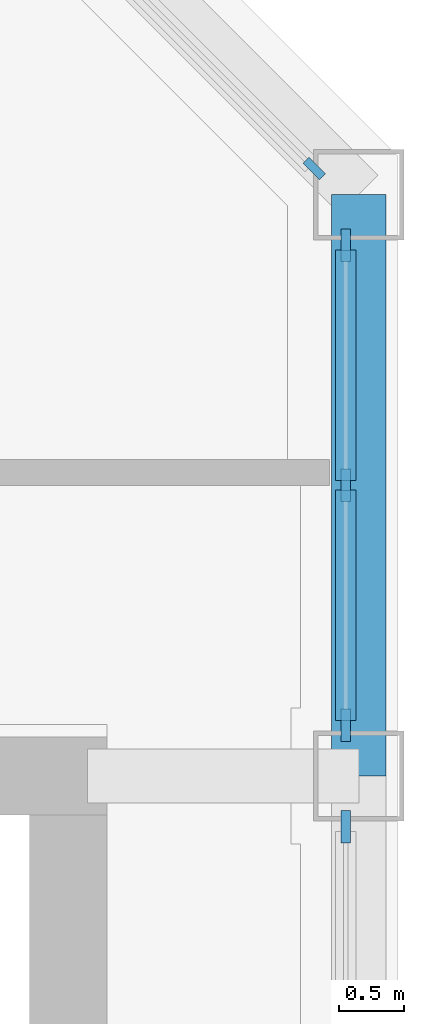
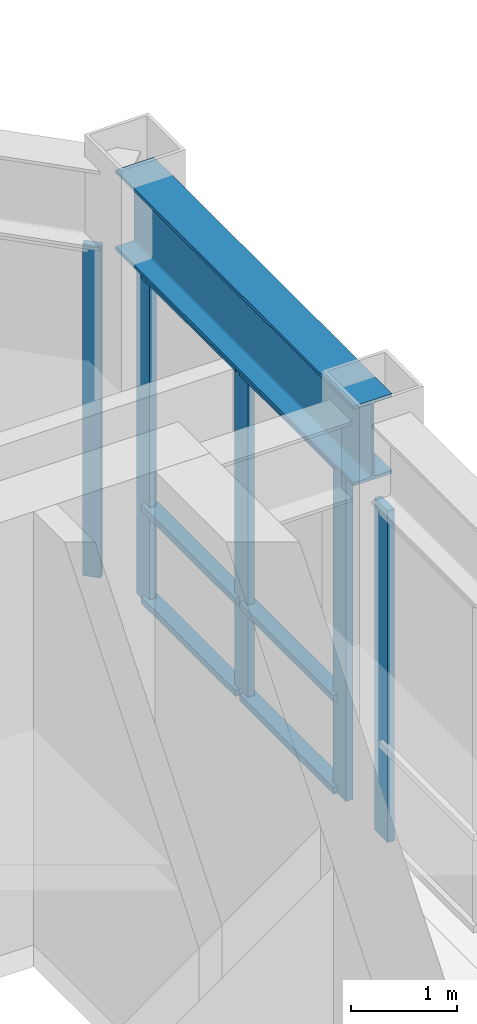
# One storey, part 6 of 15: 11 members, 1 beam, 3 elements without a shape of their own.
"""IFC4 building model written with IfcOpenShell, lengths in metres."""

from ifc_helpers import new_model, si_unit, direction, frame, origin, origin_2d, place, context, subcontext, project, spatial, rectangle, i_section, extrude, material, material_profile, profile_set, type_object, element, aggregate, save


model = new_model("IFC4")

# Units and contexts
model_context = context("Model", 3, precision=1e-05, world=origin(), true_north=direction((0.0, 1.0)))
body_context = subcontext(model_context, "Body", "Model", "MODEL_VIEW")
ifc_project = project(units=[si_unit("LENGTHUNIT", "METRE"), si_unit("AREAUNIT", "SQUARE_METRE"), si_unit("VOLUMEUNIT", "CUBIC_METRE"), si_unit("PLANEANGLEUNIT", "RADIAN"), si_unit("MASSUNIT", "GRAM", prefix="KILO")], contexts=[model_context])

# Site, building, storey
site_placement = place(None, origin())
site = spatial("IfcSite", under=ifc_project, at=site_placement, CompositionType="ELEMENT")
building_placement = place(site_placement, origin())
building = spatial("IfcBuilding", under=site, at=building_placement, Name="Msasa Ring Tower", CompositionType="ELEMENT")
storey_placement = place(building_placement, frame((0.0, 0.0, 257.050048828125)))
storey = spatial("IfcBuildingStorey", under=building, at=storey_placement, Name="L67", CompositionType="ELEMENT", Elevation=257.050048828125)

# Curtain wall, member
ifc_material_1 = material(Name="Aluminium curtain wall with clear glass", Category="aluminium")
curtain_wall_type_1 = type_object("IfcCurtainWallType", Name="CW-C CHAMFER CORNER CURTAIN WALL", PredefinedType="NOTDEFINED", material=ifc_material_1)
curtain_wall_1_placement = place(storey_placement, origin())
curtain_wall_1 = element("IfcCurtainWall", 1, at=curtain_wall_1_placement, inside=storey, type_object=curtain_wall_type_1, Name="Chamfer corner curtain wall NE L67", PredefinedType="NOTDEFINED")
ifc_material_2 = material(Name="Aluminium mullion", Category="aluminium")
ifc_material_profile_1 = material_profile(ifc_material_2, rectangle(XDim=0.06494140625, YDim=0.179931640625, at=origin_2d()), Name="AL 65x180")
ifc_profile_set_1 = profile_set([ifc_material_profile_1], Name="Aluminium mullion")
member_type_1 = type_object("IfcMemberType", Name="CW-C MULLION 65x180", PredefinedType="MULLION", material=ifc_profile_set_1)
member_1_placement = place(storey_placement, frame((19.9052734375, 11.453369140625, 0.0), z_axis=(0.0, 0.0, 1.0), x_axis=(-0.707106781187, -0.707106781187, 0.0)))
member_1 = element("IfcMember", 2, at=member_1_placement, type_object=member_type_1, Name="CW-C mullion 1", PredefinedType="MULLION", context=body_context, shape_type="SweptSolid", body=[
    extrude(rectangle(XDim=0.06494140625, YDim=0.179931640625, at=origin_2d()), origin(), (0.0, 0.0, 1.0), 3.828857421875),
])
aggregate(curtain_wall_1, [member_1])

ifc_material_3 = material(Name="Aluminium curtain wall with clear glass", Category="aluminium")
curtain_wall_type_2 = type_object("IfcCurtainWallType", Name="CW-S SKY LOBBY CURTAIN WALL", PredefinedType="NOTDEFINED", material=ifc_material_3)
curtain_wall_2_placement = place(storey_placement, origin())
curtain_wall_2 = element("IfcCurtainWall", 3, at=curtain_wall_2_placement, inside=storey, type_object=curtain_wall_type_2, Name="Sky lobby curtain wall E L67", PredefinedType="NOTDEFINED")
ifc_material_4 = material(Name="Aluminium mullion", Category="aluminium")
ifc_material_profile_2 = material_profile(ifc_material_4, rectangle(XDim=0.074951171875, YDim=0.25, at=origin_2d()), Name="AL 75x250")
ifc_profile_set_2 = profile_set([ifc_material_profile_2], Name="Aluminium mullion")
member_type_2 = type_object("IfcMemberType", Name="CW-S MULLION 75x250", PredefinedType="MULLION", material=ifc_profile_set_2)
member_2_placement = place(storey_placement, frame((20.14990234375, 6.357421875, 0.0), z_axis=(0.0, 0.0, 1.0), x_axis=(-1.0, 0.0, 0.0)))
member_2 = element("IfcMember", 4, at=member_2_placement, type_object=member_type_2, Name="CW-S mullion 3", PredefinedType="MULLION", context=body_context, shape_type="SweptSolid", body=[
    extrude(rectangle(XDim=0.074951171875, YDim=0.25, at=origin_2d()), origin(), (0.0, 0.0, 1.0), 3.828857421875),
])
aggregate(curtain_wall_2, [member_2])

# Curtain wall, members
curtain_wall_3_placement = place(storey_placement, origin())
curtain_wall_3 = element("IfcCurtainWall", 5, at=curtain_wall_3_placement, inside=storey, type_object=curtain_wall_type_2, Name="Sky lobby curtain wall E L67", PredefinedType="NOTDEFINED")
member_3_placement = place(storey_placement, frame((20.14990234375, 7.142578125, 0.0), z_axis=(0.0, 0.0, 1.0), x_axis=(-1.0, 0.0, 0.0)))
member_3 = element("IfcMember", 6, at=member_3_placement, type_object=member_type_2, Name="CW-S mullion 1", PredefinedType="MULLION", context=body_context, shape_type="SweptSolid", body=[
    extrude(rectangle(XDim=0.074951171875, YDim=0.25, at=origin_2d()), origin(), (0.0, 0.0, 1.0), 3.828857421875),
])
member_4_placement = place(storey_placement, frame((20.14990234375, 9.0, 0.0), z_axis=(0.0, 0.0, 1.0), x_axis=(-1.0, 0.0, 0.0)))
member_4 = element("IfcMember", 7, at=member_4_placement, type_object=member_type_2, Name="CW-S mullion 2", PredefinedType="MULLION", context=body_context, shape_type="SweptSolid", body=[
    extrude(rectangle(XDim=0.074951171875, YDim=0.25, at=origin_2d()), origin(), (0.0, 0.0, 1.0), 3.828857421875),
])
member_5_placement = place(storey_placement, frame((20.14990234375, 10.857421875, 0.0), z_axis=(0.0, 0.0, 1.0), x_axis=(-1.0, 0.0, 0.0)))
member_5 = element("IfcMember", 8, at=member_5_placement, type_object=member_type_2, Name="CW-S mullion 3", PredefinedType="MULLION", context=body_context, shape_type="SweptSolid", body=[
    extrude(rectangle(XDim=0.074951171875, YDim=0.25, at=origin_2d()), origin(), (0.0, 0.0, 1.0), 3.828857421875),
])
ifc_material_5 = material(Name="Aluminium transom", Category="aluminium")
ifc_material_profile_3 = material_profile(ifc_material_5, rectangle(XDim=0.159912109375, YDim=0.074951171875, at=origin_2d()), Name="AL 75x160")
ifc_profile_set_3 = profile_set([ifc_material_profile_3], Name="Aluminium transom")
member_type_3 = type_object("IfcMemberType", Name="CW-S TRANSOM 75x160", PredefinedType="USERDEFINED", material=ifc_profile_set_3)
member_6_placement = place(storey_placement, frame((20.14990234375, 7.179931640625, 0.037353515625), z_axis=(0.0, 1.0, 0.0), x_axis=(-1.0, 0.0, 0.0)))
member_6 = element("IfcMember", 9, at=member_6_placement, type_object=member_type_3, Name="CW-S transom 1.1", ObjectType="TRANSOM", PredefinedType="USERDEFINED", context=body_context, shape_type="SweptSolid", body=[
    extrude(rectangle(XDim=0.159912109375, YDim=0.074951171875, at=origin_2d()), origin(), (0.0, 0.0, 1.0), 1.782470703125),
])
member_7_placement = place(storey_placement, frame((20.14990234375, 7.179931640625, 1.099853515625), z_axis=(0.0, 1.0, 0.0), x_axis=(-1.0, 0.0, 0.0)))
member_7 = element("IfcMember", 10, at=member_7_placement, type_object=member_type_3, Name="CW-S transom 1.2", ObjectType="TRANSOM", PredefinedType="USERDEFINED", context=body_context, shape_type="SweptSolid", body=[
    extrude(rectangle(XDim=0.159912109375, YDim=0.074951171875, at=origin_2d()), origin(), (0.0, 0.0, 1.0), 1.782470703125),
])
member_8_placement = place(storey_placement, frame((20.14990234375, 7.179931640625, 3.79150390625), z_axis=(0.0, 1.0, 0.0), x_axis=(-1.0, 0.0, 0.0)))
member_8 = element("IfcMember", 11, at=member_8_placement, type_object=member_type_3, Name="CW-S transom 1.3", ObjectType="TRANSOM", PredefinedType="USERDEFINED", context=body_context, shape_type="SweptSolid", body=[
    extrude(rectangle(XDim=0.159912109375, YDim=0.074951171875, at=origin_2d()), origin(), (0.0, 0.0, 1.0), 1.782470703125),
])
member_9_placement = place(storey_placement, frame((20.14990234375, 9.03759765625, 0.037353515625), z_axis=(0.0, 1.0, 0.0), x_axis=(-1.0, 0.0, 0.0)))
member_9 = element("IfcMember", 12, at=member_9_placement, type_object=member_type_3, Name="CW-S transom 2.1", ObjectType="TRANSOM", PredefinedType="USERDEFINED", context=body_context, shape_type="SweptSolid", body=[
    extrude(rectangle(XDim=0.159912109375, YDim=0.074951171875, at=origin_2d()), origin(), (0.0, 0.0, 1.0), 1.782470703125),
])
member_10_placement = place(storey_placement, frame((20.14990234375, 9.03759765625, 1.099853515625), z_axis=(0.0, 1.0, 0.0), x_axis=(-1.0, 0.0, 0.0)))
member_10 = element("IfcMember", 13, at=member_10_placement, type_object=member_type_3, Name="CW-S transom 2.2", ObjectType="TRANSOM", PredefinedType="USERDEFINED", context=body_context, shape_type="SweptSolid", body=[
    extrude(rectangle(XDim=0.159912109375, YDim=0.074951171875, at=origin_2d()), origin(), (0.0, 0.0, 1.0), 1.782470703125),
])
member_11_placement = place(storey_placement, frame((20.14990234375, 9.03759765625, 3.79150390625), z_axis=(0.0, 1.0, 0.0), x_axis=(-1.0, 0.0, 0.0)))
member_11 = element("IfcMember", 14, at=member_11_placement, type_object=member_type_3, Name="CW-S transom 2.3", ObjectType="TRANSOM", PredefinedType="USERDEFINED", context=body_context, shape_type="SweptSolid", body=[
    extrude(rectangle(XDim=0.159912109375, YDim=0.074951171875, at=origin_2d()), origin(), (0.0, 0.0, 1.0), 1.782470703125),
])
aggregate(curtain_wall_3, [member_3, member_4, member_5, member_6, member_7, member_8, member_9, member_10, member_11])

# Beam
ifc_material_6 = material(Name="Steel S355", Category="steel")
ifc_material_profile_4 = material_profile(ifc_material_6, i_section(OverallWidth=0.42041015625, OverallDepth=0.9208984375, WebThickness=0.021484375, FlangeThickness=0.03662109375, FilletRadius=0.024169921875, at=origin_2d()), Name="UB 914x419x388")
ifc_profile_set_4 = profile_set([ifc_material_profile_4], Name="Steel S355")
beam_type = type_object("IfcBeamType", Name="SB1 UB 914x419x388", PredefinedType="SPANDREL", material=ifc_profile_set_4)
beam_placement = place(storey_placement, frame((20.25, 6.75, 4.28955078125), z_axis=(0.0, 1.0, 0.0), x_axis=(-1.0, 0.0, 0.0)))
element("IfcBeam", 15, at=beam_placement, inside=storey, type_object=beam_type, Name="Spandrel E+6.75 to E+11.25 under L68", PredefinedType="SPANDREL", context=body_context, shape_type="SweptSolid", body=[
    extrude(i_section(OverallWidth=0.42041015625, OverallDepth=0.9208984375, WebThickness=0.021484375, FlangeThickness=0.03662109375, FilletRadius=0.024169921875, at=origin_2d()), origin(), (0.0, 0.0, 1.0), 4.5),
])

save(model, "model.ifc")
